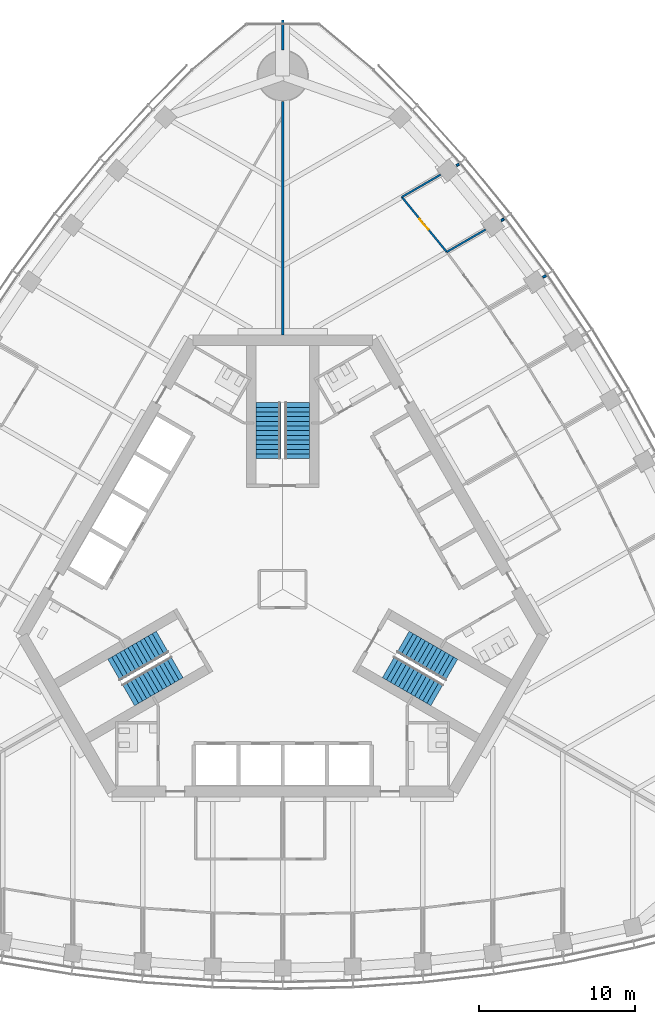
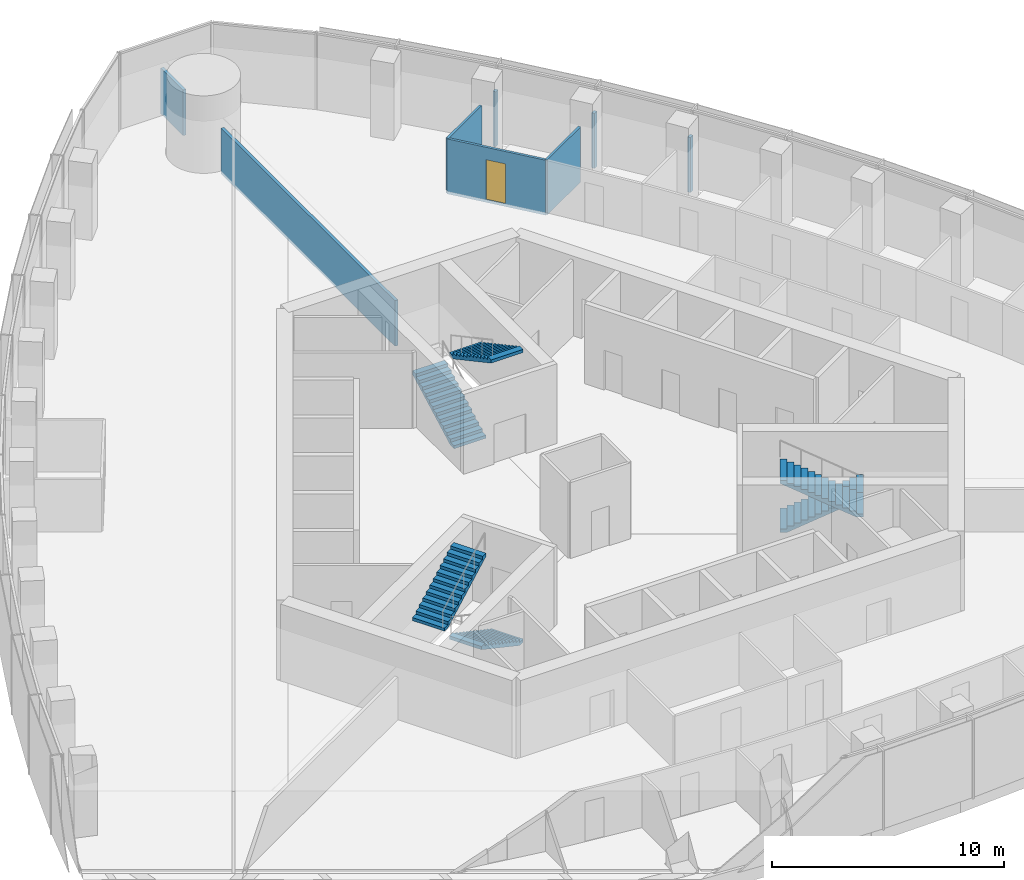
# One storey, part 15 of 20: 8 walls, 6 stair flights, 1 door, 1 opening, 3 elements without a shape of their own.
"""IFC4 building model written with IfcOpenShell, lengths in metres."""

import ifcopenshell
import ifcopenshell.guid

model = None  # the IFC model being written
_history = None  # IfcOwnerHistory: only IFC2X3 demands one
_inside = {}  # id of a spatial element -> (the spatial element, [elements in it])
_under = {}  # id of a project, library or spatial element -> (it, [spatial elements below it])
_declared = {}  # id of a project -> (the project, [libraries it declares])
_typed = {}  # id of a type object -> (the type object, [elements of that type])
_made_of = {}  # id of a material, layer set ... -> (it, [elements and type objects made of it])


def new_model(schema):
    """Start an empty IFC model of exactly this schema.

    Asked for "IFC4X3", IfcOpenShell would pick the latest addendum, in which some entities
    have other attributes; the version numbers below select the first issue.
    IFC2X3 requires an IfcOwnerHistory on every rooted entity: one is made here for all.
    """
    global model, _history
    if schema == "IFC4X3":
        model = ifcopenshell.file(schema_version=(4, 3, 0, 0))
    else:
        model = ifcopenshell.file(schema=schema)
    _inside.clear()
    _under.clear()
    _declared.clear()
    _typed.clear()
    _made_of.clear()
    _history = None
    if model.schema == "IFC2X3":
        org = make("IfcOrganization", Name="unknown")
        user = make(
            "IfcPersonAndOrganization",
            ThePerson=make("IfcPerson", FamilyName="unknown"),
            TheOrganization=org,
        )
        app = make(
            "IfcApplication",
            ApplicationDeveloper=org,
            Version="unknown",
            ApplicationFullName="unknown",
            ApplicationIdentifier="unknown",
        )
        _history = make(
            "IfcOwnerHistory",
            OwningUser=user,
            OwningApplication=app,
            ChangeAction="ADDED",
            CreationDate=0,
        )
    return model


def make(cls, **values):
    """One entity of the class cls with the attributes given. An attribute that is None is left unset."""
    return model.create_entity(
        cls, **{name: value for name, value in values.items() if value is not None}
    )


def rooted(cls, **values):
    """An entity with a GlobalId (a new one), such as an element, a storey or a relation."""
    return make(cls, GlobalId=ifcopenshell.guid.new(), OwnerHistory=_history, **values)


def si_unit(unit_type, name, prefix=None):
    """IfcSIUnit, for example si_unit("LENGTHUNIT", "METRE", prefix="MILLI")."""
    return make("IfcSIUnit", UnitType=unit_type, Prefix=prefix, Name=name)


def assignment(units):
    """IfcUnitAssignment: the units of a project."""
    return None if units is None else make("IfcUnitAssignment", Units=units)


def point(xyz):
    """IfcCartesianPoint."""
    return None if xyz is None else make("IfcCartesianPoint", Coordinates=xyz)


def direction(xyz):
    """IfcDirection."""
    return None if xyz is None else make("IfcDirection", DirectionRatios=xyz)


def frame(location, z_axis=None, x_axis=None):
    """IfcAxis2Placement3D, a coordinate frame: its origin and axes. An axis left out is left unset."""
    return make(
        "IfcAxis2Placement3D",
        Location=point(location),
        Axis=direction(z_axis),
        RefDirection=direction(x_axis),
    )


def frame_2d(location, x_axis=None):
    """IfcAxis2Placement2D, a coordinate frame in the plane: its origin and x axis."""
    return make(
        "IfcAxis2Placement2D", Location=point(location), RefDirection=direction(x_axis)
    )


def origin():
    """The frame at (0, 0, 0) with its axes left unset."""
    return frame((0.0, 0.0, 0.0))


def place(relative_to, where):
    """IfcLocalPlacement: puts the frame where relative to a parent placement (None: the world)."""
    return make(
        "IfcLocalPlacement", PlacementRelTo=relative_to, RelativePlacement=where
    )


def context(
    kind, dimensions, precision=None, world=None, true_north=None, identifier=None
):
    """IfcGeometricRepresentationContext, for example the 3D "Model" context."""
    return make(
        "IfcGeometricRepresentationContext",
        ContextIdentifier=identifier,
        ContextType=kind,
        CoordinateSpaceDimension=dimensions,
        Precision=precision,
        WorldCoordinateSystem=world,
        TrueNorth=true_north,
    )


def subcontext(parent, identifier, kind, view, scale=None):
    """IfcGeometricRepresentationSubContext, for example "Body" below "Model"."""
    return make(
        "IfcGeometricRepresentationSubContext",
        ContextIdentifier=identifier,
        ContextType=kind,
        ParentContext=parent,
        TargetScale=scale,
        TargetView=view,
    )


def project(units=None, contexts=None):
    """IfcProject with its units and contexts."""
    return rooted(
        "IfcProject",
        Name="project",
        RepresentationContexts=contexts,
        UnitsInContext=assignment(units),
    )


def spatial(cls, under=None, at=None, **own):
    """A site, building, storey or space (cls), placed at a placement, below another one or the project."""
    s = rooted(cls, ObjectPlacement=at, **own)
    if under is not None:
        _under.setdefault(under.id(), (under, []))[1].append(s)
    return s


def polyline(points):
    """IfcPolyline through the points."""
    return make("IfcPolyline", Points=[point(p) for p in points])


def profile(cls, at=None, kind="AREA", **sizes):
    """A parametric profile (cls). Its sizes go by their IFC names, for example OverallWidth=200.0."""
    return make(cls, ProfileType=kind, Position=at, **sizes)


def rectangle(**sizes):
    """IfcRectangleProfileDef."""
    return profile("IfcRectangleProfileDef", **sizes)


def outline(outer, holes=None, kind="AREA"):
    """IfcArbitraryClosedProfileDef: a profile drawn as a closed curve; with holes, ...WithVoids."""
    if holes is None:
        return make("IfcArbitraryClosedProfileDef", ProfileType=kind, OuterCurve=outer)
    return make(
        "IfcArbitraryProfileDefWithVoids",
        ProfileType=kind,
        OuterCurve=outer,
        InnerCurves=holes,
    )


def extrude(swept, where, along, depth):
    """IfcExtrudedAreaSolid: the profile swept, set in the frame where, extruded along a direction by depth."""
    return make(
        "IfcExtrudedAreaSolid",
        SweptArea=swept,
        Position=where,
        ExtrudedDirection=direction(along),
        Depth=depth,
    )


def shape(context_of_items, identifier, shape_type, items):
    """IfcShapeRepresentation: the items that make up one representation, for example the "Body"."""
    return make(
        "IfcShapeRepresentation",
        ContextOfItems=context_of_items,
        RepresentationIdentifier=identifier,
        RepresentationType=shape_type,
        Items=items,
    )


def material(Name=None, Category=None):
    """IfcMaterial."""
    return make("IfcMaterial", Name=Name, Category=Category)


def layer(
    of_material, thickness, ventilated=None, Name=None, Category=None, Priority=None
):
    """IfcMaterialLayer: one layer of a wall or slab, of a material (None: an air gap)."""
    return make(
        "IfcMaterialLayer",
        Material=of_material,
        LayerThickness=thickness,
        IsVentilated=ventilated,
        Name=Name,
        Category=Category,
        Priority=Priority,
    )


def layer_set(layers, Name=None):
    """IfcMaterialLayerSet."""
    return make("IfcMaterialLayerSet", MaterialLayers=layers, LayerSetName=Name)


def made_of(thing, what):
    """Note that an element or type object is made of a material, layer set ...; save() writes the relation."""
    if what is not None:
        _made_of.setdefault(what.id(), (what, []))[1].append(thing)
    return thing


def type_object(cls, material=None, **own):
    """A type object (cls), such as IfcWallType, which elements share."""
    return made_of(rooted(cls, **own), material)


def element(
    cls,
    number,
    at=None,
    inside=None,
    cuts=None,
    type_object=None,
    material=None,
    context=None,
    identifier="Body",
    shape_type=None,
    held_by="IfcProductDefinitionShape",
    body=None,
    shapes=None,
    **own,
):
    """One element of the class cls, such as IfcWall. Its Tag is "e" and its number.

    at: its placement. inside: the storey or other place that contains it. cuts: it is an
    opening in that element (IfcRelVoidsElement). A single representation is given by context,
    identifier, shape_type and body (its items); several are given by shapes. held_by: the class
    of the entity that holds the representations. save() writes the other relations.
    """
    e = rooted(cls, Tag="e%d" % number, ObjectPlacement=at, **own)
    if body is not None:
        shapes = [shape(context, identifier, shape_type, body)]
    if shapes is not None:
        e.Representation = make(held_by, Representations=shapes)
    if inside is not None:
        _inside.setdefault(inside.id(), (inside, []))[1].append(e)
    if cuts is not None:
        rooted(
            "IfcRelVoidsElement", RelatingBuildingElement=cuts, RelatedOpeningElement=e
        )
    if type_object is not None:
        _typed.setdefault(type_object.id(), (type_object, []))[1].append(e)
    return made_of(e, material)


def fill(opening, filler):
    """IfcRelFillsElement: the door or window that sits in an opening."""
    return rooted(
        "IfcRelFillsElement",
        RelatingOpeningElement=opening,
        RelatedBuildingElement=filler,
    )


def aggregate(whole, parts):
    """IfcRelAggregates: a whole, such as a stair, and the parts it consists of."""
    return rooted("IfcRelAggregates", RelatingObject=whole, RelatedObjects=parts)


def save(model, path):
    """Write the relations noted so far, then the file.

    IfcRelAggregates (storeys below a building ...), IfcRelContainedInSpatialStructure (elements
    in a storey), IfcRelDefinesByType, IfcRelAssociatesMaterial and IfcRelDeclares: one each for
    every whole, place, type object, material and project.
    """
    for whole, parts in _under.values():
        aggregate(whole, parts)
    for where, things in _inside.values():
        rooted(
            "IfcRelContainedInSpatialStructure",
            RelatedElements=things,
            RelatingStructure=where,
        )
    for kind, things in _typed.values():
        rooted("IfcRelDefinesByType", RelatedObjects=things, RelatingType=kind)
    for what, things in _made_of.values():
        rooted("IfcRelAssociatesMaterial", RelatedObjects=things, RelatingMaterial=what)
    for by, libraries in _declared.values():
        rooted("IfcRelDeclares", RelatingContext=by, RelatedDefinitions=libraries)
    model.write(path)


model = new_model("IFC4")

# Units and contexts
model_context = context("Model", 3, precision=1e-05, world=origin(), true_north=direction((0.0, 1.0)))
body_context = subcontext(model_context, "Body", "Model", "MODEL_VIEW")
ifc_project = project(units=[si_unit("LENGTHUNIT", "METRE"), si_unit("AREAUNIT", "SQUARE_METRE"), si_unit("VOLUMEUNIT", "CUBIC_METRE"), si_unit("PLANEANGLEUNIT", "RADIAN"), si_unit("MASSUNIT", "GRAM", prefix="KILO")], contexts=[model_context])

# Site, building, storey
site_placement = place(None, origin())
site = spatial("IfcSite", under=ifc_project, at=site_placement, CompositionType="ELEMENT")
building_placement = place(site_placement, origin())
building = spatial("IfcBuilding", under=site, at=building_placement, Name="Trefoil Bronze Tower", CompositionType="ELEMENT")
storey_placement = place(building_placement, frame((0.0, 0.0, 231.699951171875)))
storey = spatial("IfcBuildingStorey", under=building, at=storey_placement, Name="L53", CompositionType="ELEMENT", Elevation=231.699951171875)

# Wall, opening, door
ifc_material_1 = material(Name="Glazed partition", Category="glass")
ifc_layer_1 = layer(ifc_material_1, 0.1201171875)
ifc_layer_set_1 = layer_set([ifc_layer_1], Name="Glazed partition 120")
wall_type_1 = type_object("IfcWallType", Name="Glazed partition 120", PredefinedType="PARTITIONING", material=ifc_layer_set_1)
wall_1_placement = place(storey_placement, frame((10.541015625, 21.67431640625, 0.0), z_axis=(0.0, 0.0, 1.0), x_axis=(-0.632733183181, 0.774369885069, 0.0)))
wall_1 = element("IfcWall", 1, at=wall_1_placement, inside=storey, type_object=wall_type_1, Name="Partition F2 L53", PredefinedType="PARTITIONING", context=body_context, shape_type="SweptSolid", body=[
    extrude(rectangle(XDim=4.559326171875, YDim=0.1201171875, at=frame_2d((2.27978515625, 0.0))), origin(), (0.0, 0.0, 1.0), 2.900146484375),
])
opening_placement = place(wall_1_placement, frame((1.85009765625, 0.0, 0.14990234375)))
opening = element("IfcOpeningElement", 2, at=opening_placement, cuts=wall_1, Name="Opening D8", PredefinedType="OPENING", context=body_context, shape_type="SweptSolid", body=[
    extrude(rectangle(XDim=0.89990234375, YDim=2.10009765625, at=frame_2d((0.449951171875, 1.050048828125))), frame((0.0, 0.070068359375, 0.0), z_axis=(0.0, -1.0, 0.0), x_axis=(1.0, 0.0, 0.0)), (0.0, 0.0, 1.0), 0.14013671875),
])
ifc_material_2 = material(Name="Timber door", Category="wood")
door_type = type_object("IfcDoorType", Name="Office door 900", OperationType="SINGLE_SWING_LEFT", PredefinedType="DOOR", material=ifc_material_2)
door_placement = place(opening_placement, frame((0.89990234375, 0.0, 0.0), z_axis=(0.0, 0.0, 1.0), x_axis=(-1.0, 0.0, 0.0)))
door = element("IfcDoor", 3, at=door_placement, inside=storey, type_object=door_type, Name="Office door F2 L53", OperationType="SINGLE_SWING_LEFT", OverallHeight=2.10009765625, OverallWidth=0.89990234375, PredefinedType="DOOR", context=body_context, shape_type="SweptSolid", body=[
    extrude(rectangle(XDim=0.89990234375, YDim=2.10009765625, at=frame_2d((0.449951171875, 1.050048828125))), frame((0.0, 0.02490234375, 0.0), z_axis=(0.0, -1.0, 0.0), x_axis=(1.0, 0.0, 0.0)), (0.0, 0.0, 1.0), 0.050048828125),
])
fill(opening, door)

# Walls
wall_2_placement = place(storey_placement, frame((10.541015625, 21.67431640625, 0.0), z_axis=(0.0, 0.0, 1.0), x_axis=(0.866019137337, 0.500010853648, 0.0)))
element("IfcWall", 4, at=wall_2_placement, inside=storey, type_object=wall_type_1, Name="Partition F2 L53", PredefinedType="PARTITIONING", context=body_context, shape_type="SweptSolid", body=[
    extrude(rectangle(XDim=2.88232421875, YDim=0.1201171875, at=frame_2d((1.441162109375, 0.0))), origin(), (0.0, 0.0, 1.0), 2.900146484375),
])
wall_3_placement = place(storey_placement, frame((7.65625, 25.204833984375, 0.0), z_axis=(0.0, 0.0, 1.0), x_axis=(0.86598453209, 0.500070785171, 0.0)))
element("IfcWall", 5, at=wall_3_placement, inside=storey, type_object=wall_type_1, Name="Partition F2 L53", PredefinedType="PARTITIONING", context=body_context, shape_type="SweptSolid", body=[
    extrude(rectangle(XDim=2.87158203125, YDim=0.1201171875, at=frame_2d((1.435791015625, 0.0))), origin(), (0.0, 0.0, 1.0), 2.900146484375),
])
ifc_material_3 = material(Name="Gypsum board on steel studs", Category="steel")
ifc_layer_2 = layer(ifc_material_3, 0.14990234375)
ifc_layer_set_2 = layer_set([ifc_layer_2], Name="Partition 150")
wall_type_2 = type_object("IfcWallType", Name="Partition 150", PredefinedType="PARTITIONING", material=ifc_layer_set_2)
wall_4_placement = place(storey_placement, frame((14.038818359375, 23.69384765625, 0.0), z_axis=(0.0, 0.0, 1.0), x_axis=(0.866047486323, 0.49996174997, 0.0)))
element("IfcWall", 6, at=wall_4_placement, inside=storey, type_object=wall_type_2, Name="Partition F2 L53", PredefinedType="PARTITIONING", context=body_context, shape_type="SweptSolid", body=[
    extrude(rectangle(XDim=0.2060546875, YDim=0.14990234375, at=frame_2d((0.10302734375, 0.0))), origin(), (0.0, 0.0, 1.0), 2.900146484375),
])
wall_5_placement = place(storey_placement, frame((11.166015625, 27.2314453125, 0.0), z_axis=(0.0, 0.0, 1.0), x_axis=(0.866439280089, 0.499282459054, 0.0)))
element("IfcWall", 7, at=wall_5_placement, inside=storey, type_object=wall_type_2, Name="Partition F2 L53", PredefinedType="PARTITIONING", context=body_context, shape_type="SweptSolid", body=[
    extrude(rectangle(XDim=0.192138671875, YDim=0.14990234375, at=frame_2d((0.09619140625, 0.0))), origin(), (0.0, 0.0, 1.0), 2.900146484375),
])
wall_6_placement = place(storey_placement, frame((16.724609375, 20.04833984375, 0.0), z_axis=(0.0, 0.0, 1.0), x_axis=(0.866149170119, 0.499785569122, 0.0)))
element("IfcWall", 8, at=wall_6_placement, inside=storey, type_object=wall_type_2, Name="Partition F2 L53", PredefinedType="PARTITIONING", context=body_context, shape_type="SweptSolid", body=[
    extrude(rectangle(XDim=0.22314453125, YDim=0.14990234375, at=frame_2d((0.111572265625, 0.0))), origin(), (0.0, 0.0, 1.0), 2.900146484375),
])
ifc_material_4 = material(Name="Gypsum board on steel studs", Category="steel")
ifc_layer_3 = layer(ifc_material_4, 0.14990234375)
ifc_layer_set_3 = layer_set([ifc_layer_3], Name="Party wall 150")
wall_type_3 = type_object("IfcWallType", Name="Party wall 150", PredefinedType="PARTITIONING", material=ifc_layer_set_3)
wall_7_placement = place(storey_placement, frame((0.0, 16.35009765625, 0.0), z_axis=(0.0, 0.0, 1.0), x_axis=(0.0, 1.0, 0.0)))
element("IfcWall", 9, at=wall_7_placement, inside=storey, type_object=wall_type_3, Name="Party wall K2 L53", PredefinedType="PARTITIONING", context=body_context, shape_type="SweptSolid", body=[
    extrude(rectangle(XDim=15.0, YDim=0.14990234375, at=frame_2d((7.5, 0.0))), origin(), (0.0, 0.0, 1.0), 2.400146484375),
])
wall_8_placement = place(storey_placement, frame((0.0, 34.64990234375, 0.0), z_axis=(0.0, 0.0, 1.0), x_axis=(0.0, 1.0, 0.0)))
element("IfcWall", 10, at=wall_8_placement, inside=storey, type_object=wall_type_3, Name="Party wall K2 L53", PredefinedType="PARTITIONING", context=body_context, shape_type="SweptSolid", body=[
    extrude(rectangle(XDim=1.934814453125, YDim=0.14990234375, at=frame_2d((0.96728515625, 0.0))), origin(), (0.0, 0.0, 1.0), 2.400146484375),
])

# Stair, stair flights
ifc_material_5 = material(Name="Precast concrete B80", Category="concrete")
stair_type = type_object("IfcStairType", Name="Exit stair 26 risers", PredefinedType="HALF_TURN_STAIR", material=ifc_material_5)
stair_1_placement = place(storey_placement, origin())
stair_1 = element("IfcStair", 11, at=stair_1_placement, inside=storey, type_object=stair_type, Name="Stair ST1 L53", PredefinedType="HALF_TURN_STAIR")
ifc_material_6 = material(Name="Precast concrete B80", Category="concrete")
stair_flight_type = type_object("IfcStairFlightType", Name="Stair flight 1600", PredefinedType="STRAIGHT", material=ifc_material_6)
stair_flight_1_placement = place(storey_placement, frame((7.728515625, -3.39404296875, 0.0), z_axis=(0.0, 0.0, 1.0), x_axis=(0.866025403784, -0.5, 0.0)))
stair_flight_1 = element("IfcStairFlight", 12, at=stair_flight_1_placement, type_object=stair_flight_type, Name="ST1 flight 1", NumberOfRisers=13, NumberOfTreads=12, PredefinedType="STRAIGHT", RiserHeight=0.161538462, TreadLength=0.3, context=body_context, shape_type="SweptSolid", body=[
    extrude(outline(polyline([(0.0, 0.0), (0.0, 0.16162109375), (0.300048828125, 0.16162109375), (0.300048828125, 0.322998046875), (0.60009765625, 0.322998046875), (0.60009765625, 0.484619140625), (0.89990234375, 0.484619140625), (0.89990234375, 0.646240234375), (1.199951171875, 0.646240234375), (1.199951171875, 0.8076171875), (1.5, 0.8076171875), (1.5, 0.96923828125), (1.800048828125, 0.96923828125), (1.800048828125, 1.130859375), (2.10009765625, 1.130859375), (2.10009765625, 1.292236328125), (2.39990234375, 1.292236328125), (2.39990234375, 1.453857421875), (2.699951171875, 1.453857421875), (2.699951171875, 1.615478515625), (3.0, 1.615478515625), (3.0, 1.77685546875), (3.300048828125, 1.77685546875), (3.300048828125, 1.9384765625), (3.60009765625, 1.9384765625), (3.60009765625, 2.10009765625), (3.60009765625, 1.768310546875), (0.316162109375, 0.0), (0.0, 0.0)])), frame((0.0, 0.800048828125, 0.0), z_axis=(0.0, -1.0, 0.0), x_axis=(1.0, 0.0, 0.0)), (0.0, 0.0, 1.0), 1.60009765625),
])
stair_flight_2_placement = place(storey_placement, frame((9.921142578125, -6.796142578125, 2.10009765625), z_axis=(0.0, 0.0, 1.0), x_axis=(-0.866025403784, 0.5, 0.0)))
stair_flight_2 = element("IfcStairFlight", 13, at=stair_flight_2_placement, type_object=stair_flight_type, Name="ST1 flight 2", NumberOfRisers=13, NumberOfTreads=12, PredefinedType="STRAIGHT", RiserHeight=0.161538462, TreadLength=0.3, context=body_context, shape_type="SweptSolid", body=[
    extrude(outline(polyline([(0.0, 0.0), (0.0, 0.16162109375), (0.300048828125, 0.16162109375), (0.300048828125, 0.322998046875), (0.60009765625, 0.322998046875), (0.60009765625, 0.484619140625), (0.89990234375, 0.484619140625), (0.89990234375, 0.646240234375), (1.199951171875, 0.646240234375), (1.199951171875, 0.8076171875), (1.5, 0.8076171875), (1.5, 0.96923828125), (1.800048828125, 0.96923828125), (1.800048828125, 1.130859375), (2.10009765625, 1.130859375), (2.10009765625, 1.292236328125), (2.39990234375, 1.292236328125), (2.39990234375, 1.453857421875), (2.699951171875, 1.453857421875), (2.699951171875, 1.615478515625), (3.0, 1.615478515625), (3.0, 1.77685546875), (3.300048828125, 1.77685546875), (3.300048828125, 1.9384765625), (3.60009765625, 1.9384765625), (3.60009765625, 2.10009765625), (3.60009765625, 1.768310546875), (0.316162109375, 0.0), (0.0, 0.0)])), frame((0.0, 0.800048828125, 0.0), z_axis=(0.0, -1.0, 0.0), x_axis=(1.0, 0.0, 0.0)), (0.0, 0.0, 1.0), 1.60009765625),
])
aggregate(stair_1, [stair_flight_1, stair_flight_2])

stair_2_placement = place(storey_placement, origin())
stair_2 = element("IfcStair", 14, at=stair_2_placement, inside=storey, type_object=stair_type, Name="Stair ST2 L53", PredefinedType="HALF_TURN_STAIR")
stair_flight_3_placement = place(storey_placement, frame((-0.925048828125, 8.389892578125, 0.0), z_axis=(0.0, 0.0, 1.0), x_axis=(0.0, 1.0, 0.0)))
stair_flight_3 = element("IfcStairFlight", 15, at=stair_flight_3_placement, type_object=stair_flight_type, Name="ST2 flight 1", NumberOfRisers=13, NumberOfTreads=12, PredefinedType="STRAIGHT", RiserHeight=0.161538462, TreadLength=0.3, context=body_context, shape_type="SweptSolid", body=[
    extrude(outline(polyline([(0.0, 0.0), (0.0, 0.16162109375), (0.300048828125, 0.16162109375), (0.300048828125, 0.322998046875), (0.60009765625, 0.322998046875), (0.60009765625, 0.484619140625), (0.89990234375, 0.484619140625), (0.89990234375, 0.646240234375), (1.199951171875, 0.646240234375), (1.199951171875, 0.8076171875), (1.5, 0.8076171875), (1.5, 0.96923828125), (1.800048828125, 0.96923828125), (1.800048828125, 1.130859375), (2.10009765625, 1.130859375), (2.10009765625, 1.292236328125), (2.39990234375, 1.292236328125), (2.39990234375, 1.453857421875), (2.699951171875, 1.453857421875), (2.699951171875, 1.615478515625), (3.0, 1.615478515625), (3.0, 1.77685546875), (3.300048828125, 1.77685546875), (3.300048828125, 1.9384765625), (3.60009765625, 1.9384765625), (3.60009765625, 2.10009765625), (3.60009765625, 1.768310546875), (0.316162109375, 0.0), (0.0, 0.0)])), frame((0.0, 0.800048828125, 0.0), z_axis=(0.0, -1.0, 0.0), x_axis=(1.0, 0.0, 0.0)), (0.0, 0.0, 1.0), 1.60009765625),
])
stair_flight_4_placement = place(storey_placement, frame((0.925048828125, 11.989990234375, 2.10009765625), z_axis=(0.0, 0.0, 1.0), x_axis=(0.0, -1.0, 0.0)))
stair_flight_4 = element("IfcStairFlight", 16, at=stair_flight_4_placement, type_object=stair_flight_type, Name="ST2 flight 2", NumberOfRisers=13, NumberOfTreads=12, PredefinedType="STRAIGHT", RiserHeight=0.161538462, TreadLength=0.3, context=body_context, shape_type="SweptSolid", body=[
    extrude(outline(polyline([(0.0, 0.0), (0.0, 0.16162109375), (0.300048828125, 0.16162109375), (0.300048828125, 0.322998046875), (0.60009765625, 0.322998046875), (0.60009765625, 0.484619140625), (0.89990234375, 0.484619140625), (0.89990234375, 0.646240234375), (1.199951171875, 0.646240234375), (1.199951171875, 0.8076171875), (1.5, 0.8076171875), (1.5, 0.96923828125), (1.800048828125, 0.96923828125), (1.800048828125, 1.130859375), (2.10009765625, 1.130859375), (2.10009765625, 1.292236328125), (2.39990234375, 1.292236328125), (2.39990234375, 1.453857421875), (2.699951171875, 1.453857421875), (2.699951171875, 1.615478515625), (3.0, 1.615478515625), (3.0, 1.77685546875), (3.300048828125, 1.77685546875), (3.300048828125, 1.9384765625), (3.60009765625, 1.9384765625), (3.60009765625, 2.10009765625), (3.60009765625, 1.768310546875), (0.316162109375, 0.0), (0.0, 0.0)])), frame((0.0, 0.800048828125, 0.0), z_axis=(0.0, -1.0, 0.0), x_axis=(1.0, 0.0, 0.0)), (0.0, 0.0, 1.0), 1.60009765625),
])
aggregate(stair_2, [stair_flight_3, stair_flight_4])

stair_3_placement = place(storey_placement, origin())
stair_3 = element("IfcStair", 17, at=stair_3_placement, inside=storey, type_object=stair_type, Name="Stair ST3 L53", PredefinedType="HALF_TURN_STAIR")
stair_flight_5_placement = place(storey_placement, frame((-6.803466796875, -4.99609375, 0.0), z_axis=(0.0, 0.0, 1.0), x_axis=(-0.866025403784, -0.5, 0.0)))
stair_flight_5 = element("IfcStairFlight", 18, at=stair_flight_5_placement, type_object=stair_flight_type, Name="ST3 flight 1", NumberOfRisers=13, NumberOfTreads=12, PredefinedType="STRAIGHT", RiserHeight=0.161538462, TreadLength=0.3, context=body_context, shape_type="SweptSolid", body=[
    extrude(outline(polyline([(0.0, 0.0), (0.0, 0.16162109375), (0.300048828125, 0.16162109375), (0.300048828125, 0.322998046875), (0.60009765625, 0.322998046875), (0.60009765625, 0.484619140625), (0.89990234375, 0.484619140625), (0.89990234375, 0.646240234375), (1.199951171875, 0.646240234375), (1.199951171875, 0.8076171875), (1.5, 0.8076171875), (1.5, 0.96923828125), (1.800048828125, 0.96923828125), (1.800048828125, 1.130859375), (2.10009765625, 1.130859375), (2.10009765625, 1.292236328125), (2.39990234375, 1.292236328125), (2.39990234375, 1.453857421875), (2.699951171875, 1.453857421875), (2.699951171875, 1.615478515625), (3.0, 1.615478515625), (3.0, 1.77685546875), (3.300048828125, 1.77685546875), (3.300048828125, 1.9384765625), (3.60009765625, 1.9384765625), (3.60009765625, 2.10009765625), (3.60009765625, 1.768310546875), (0.316162109375, 0.0), (0.0, 0.0)])), frame((0.0, 0.800048828125, 0.0), z_axis=(0.0, -1.0, 0.0), x_axis=(1.0, 0.0, 0.0)), (0.0, 0.0, 1.0), 1.60009765625),
])
stair_flight_6_placement = place(storey_placement, frame((-10.84619140625, -5.19384765625, 2.10009765625), z_axis=(0.0, 0.0, 1.0), x_axis=(0.866025403784, 0.5, 0.0)))
stair_flight_6 = element("IfcStairFlight", 19, at=stair_flight_6_placement, type_object=stair_flight_type, Name="ST3 flight 2", NumberOfRisers=13, NumberOfTreads=12, PredefinedType="STRAIGHT", RiserHeight=0.161538462, TreadLength=0.3, context=body_context, shape_type="SweptSolid", body=[
    extrude(outline(polyline([(0.0, 0.0), (0.0, 0.16162109375), (0.300048828125, 0.16162109375), (0.300048828125, 0.322998046875), (0.60009765625, 0.322998046875), (0.60009765625, 0.484619140625), (0.89990234375, 0.484619140625), (0.89990234375, 0.646240234375), (1.199951171875, 0.646240234375), (1.199951171875, 0.8076171875), (1.5, 0.8076171875), (1.5, 0.96923828125), (1.800048828125, 0.96923828125), (1.800048828125, 1.130859375), (2.10009765625, 1.130859375), (2.10009765625, 1.292236328125), (2.39990234375, 1.292236328125), (2.39990234375, 1.453857421875), (2.699951171875, 1.453857421875), (2.699951171875, 1.615478515625), (3.0, 1.615478515625), (3.0, 1.77685546875), (3.300048828125, 1.77685546875), (3.300048828125, 1.9384765625), (3.60009765625, 1.9384765625), (3.60009765625, 2.10009765625), (3.60009765625, 1.768310546875), (0.316162109375, 0.0), (0.0, 0.0)])), frame((0.0, 0.800048828125, 0.0), z_axis=(0.0, -1.0, 0.0), x_axis=(1.0, 0.0, 0.0)), (0.0, 0.0, 1.0), 1.60009765625),
])
aggregate(stair_3, [stair_flight_5, stair_flight_6])

save(model, "model.ifc")
